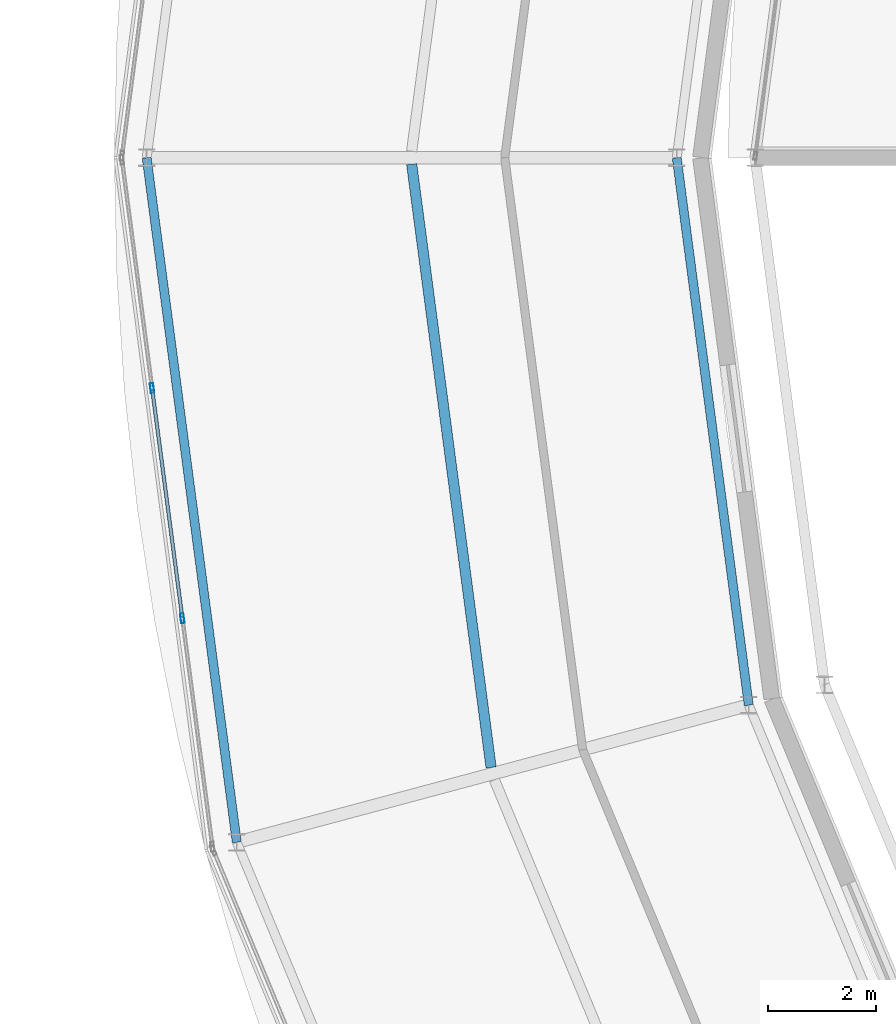
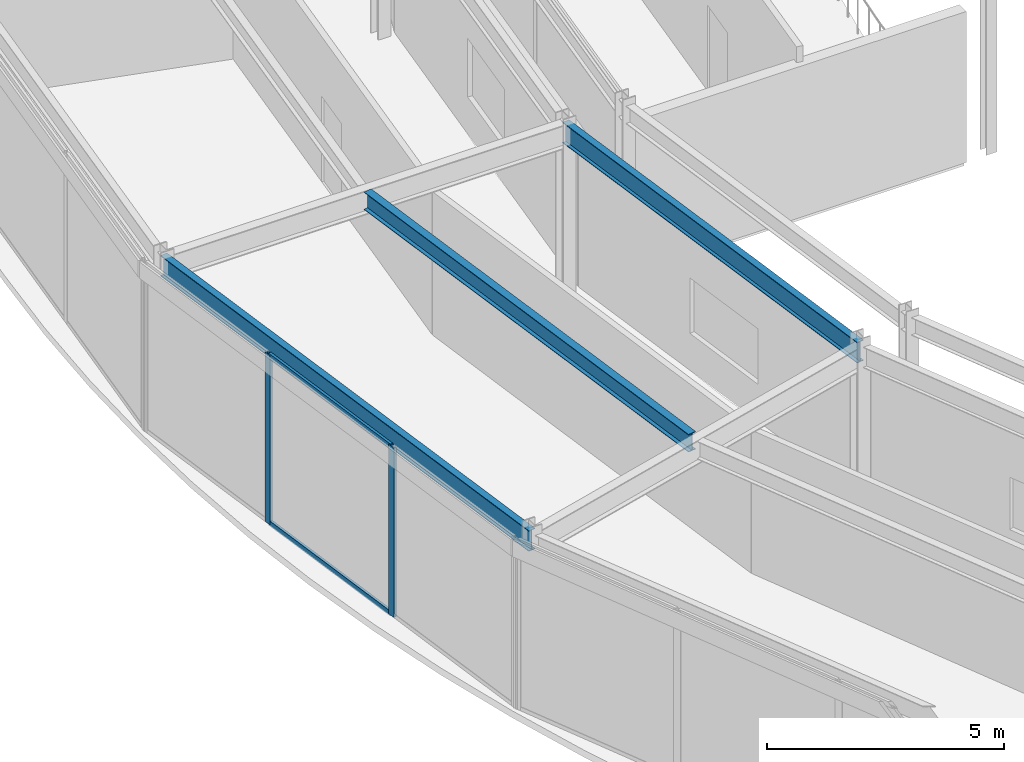
# One storey, part 30 of 133: 4 members, 3 beams, 1 element without a shape of its own.
"""IFC4 building model written with IfcOpenShell, lengths in metres."""

from ifc_helpers import new_model, si_unit, direction, frame, origin, origin_2d, place, context, subcontext, project, spatial, hollow_rectangle, i_section, extrude, material, material_profile, profile_set, type_object, element, aggregate, save


model = new_model("IFC4")

# Units and contexts
model_context = context("Model", 3, precision=1e-05, world=origin(), true_north=direction((0.0, 1.0)))
body_context = subcontext(model_context, "Body", "Model", "MODEL_VIEW")
ifc_project = project(units=[si_unit("LENGTHUNIT", "METRE"), si_unit("AREAUNIT", "SQUARE_METRE"), si_unit("VOLUMEUNIT", "CUBIC_METRE"), si_unit("PLANEANGLEUNIT", "RADIAN"), si_unit("MASSUNIT", "GRAM", prefix="KILO")], contexts=[model_context])

# Site, building, storey
site_placement = place(None, origin())
site = spatial("IfcSite", under=ifc_project, at=site_placement, CompositionType="ELEMENT")
building_placement = place(site_placement, origin())
building = spatial("IfcBuilding", under=site, at=building_placement, Name="Almandine Court Research Institute", CompositionType="ELEMENT")
storey_placement = place(building_placement, frame((0.0, 0.0, 9.800048828125)))
storey = spatial("IfcBuildingStorey", under=building, at=storey_placement, Name="L02", CompositionType="ELEMENT", Elevation=9.800048828125)

# Beams
ifc_material_1 = material(Name="Steel ASTM A992 Grade 50", Category="steel")
ifc_material_profile_1 = material_profile(ifc_material_1, i_section(OverallWidth=0.18994140625, OverallDepth=0.45703125, WebThickness=0.009033203125, FlangeThickness=0.014892578125, at=origin_2d()), Name="W460x74")
ifc_profile_set_1 = profile_set([ifc_material_profile_1], Name="Steel ASTM A992 Grade 50")
beam_type_1 = type_object("IfcBeamType", Name="Beam-B-01", PredefinedType="BEAM", material=ifc_profile_set_1)
beam_1_placement = place(storey_placement, frame((43.0, 55.8798828125, 4.140869140625), z_axis=(0.130512904889, -0.991446610594, 0.0), x_axis=(0.991446610594, 0.130512904889, 0.0)))
element("IfcBeam", 1, at=beam_1_placement, inside=storey, type_object=beam_type_1, Name="L02 Drum MID Ring Beam 12", PredefinedType="BEAM", context=body_context, shape_type="SweptSolid", body=[
    extrude(i_section(OverallWidth=0.18994140625, OverallDepth=0.45703125, WebThickness=0.009033203125, FlangeThickness=0.014892578125, at=origin_2d()), origin(), (0.0, 0.0, 1.0), 11.248046875),
])
ifc_material_profile_2 = material_profile(ifc_material_1, i_section(OverallWidth=0.166015625, OverallDepth=0.534912109375, WebThickness=0.010009765625, FlangeThickness=0.01708984375, at=origin_2d()), Name="W530x85")
ifc_profile_set_2 = profile_set([ifc_material_profile_2], Name="Steel ASTM A992 Grade 50")
beam_type_2 = type_object("IfcBeamType", Name="Beam-G-05-E", PredefinedType="SPANDREL", material=ifc_profile_set_2)
beam_2_placement = place(storey_placement, frame((47.89990234375, 56.0, 4.10205078125), z_axis=(0.130496584681, -0.991448758831, 0.0), x_axis=(0.991448758831, 0.130496584681, 0.0)))
element("IfcBeam", 2, at=beam_2_placement, inside=storey, type_object=beam_type_2, Name="L02 Drum IN Ring Beam 12", PredefinedType="SPANDREL", context=body_context, shape_type="SweptSolid", body=[
    extrude(i_section(OverallWidth=0.166015625, OverallDepth=0.534912109375, WebThickness=0.010009765625, FlangeThickness=0.01708984375, at=origin_2d()), origin(), (0.0, 0.0, 1.0), 10.20751953125),
])
beam_3_placement = place(storey_placement, frame((38.10009765625, 56.0, 4.10205078125), z_axis=(0.130512396599, -0.991446677504, 0.0), x_axis=(0.991446677504, 0.130512396599, 0.0)))
element("IfcBeam", 3, at=beam_3_placement, inside=storey, type_object=beam_type_2, Name="L02 Drum OUT Ring Beam 12", PredefinedType="SPANDREL", context=body_context, shape_type="SweptSolid", body=[
    extrude(i_section(OverallWidth=0.166015625, OverallDepth=0.534912109375, WebThickness=0.010009765625, FlangeThickness=0.01708984375, at=origin_2d()), origin(), (0.0, 0.0, 1.0), 12.76513671875),
])

# Curtain wall, members
ifc_material_2 = material(Name="Unitised Curtain Wall Framing and Solar Glazing", Category="glass")
curtain_wall_type = type_object("IfcCurtainWallType", Name="CW-CWJ-19", PredefinedType="USERDEFINED", material=ifc_material_2)
curtain_wall_placement = place(storey_placement, origin())
curtain_wall = element("IfcCurtainWall", 4, at=curtain_wall_placement, inside=storey, type_object=curtain_wall_type, Name="L02 Stacked-Ring Drum Outer Solar Jali Screen 12", ObjectType="SOLAR JALI SCREEN", PredefinedType="USERDEFINED")
ifc_material_3 = material(Name="Anodised Aluminium AW-6063-T6", Category="aluminium")
ifc_material_profile_3 = material_profile(ifc_material_3, hollow_rectangle(XDim=0.06494140625, YDim=0.179931640625, WallThickness=0.00390625, at=origin_2d()), Name="ALU RHS 65x180x4")
ifc_profile_set_3 = profile_set([ifc_material_profile_3], Name="Anodised Aluminium AW-6063-T6")
member_type_1 = type_object("IfcMemberType", Name="CWMul-65x180", PredefinedType="MULLION", material=ifc_profile_set_3)
member_1_placement = place(storey_placement, frame((38.7607421875, 47.484619140625, 0.0), z_axis=(0.0, 0.0, 1.0), x_axis=(-0.991442926098, -0.130540891259, 0.0)))
member_1 = element("IfcMember", 5, at=member_1_placement, type_object=member_type_1, Name="CWJ-19 mullion 2", PredefinedType="MULLION", context=body_context, shape_type="SweptSolid", body=[
    extrude(hollow_rectangle(XDim=0.06494140625, YDim=0.179931640625, WallThickness=0.00390625, at=origin_2d()), origin(), (0.0, 0.0, 1.0), 4.369873046875),
])
member_2_placement = place(storey_placement, frame((38.200439453125, 51.740234375, 0.0), z_axis=(0.0, 0.0, 1.0), x_axis=(-0.991442926098, -0.130540891259, 0.0)))
member_2 = element("IfcMember", 6, at=member_2_placement, type_object=member_type_1, Name="CWJ-19 mullion 3", PredefinedType="MULLION", context=body_context, shape_type="SweptSolid", body=[
    extrude(hollow_rectangle(XDim=0.06494140625, YDim=0.179931640625, WallThickness=0.00390625, at=origin_2d()), origin(), (0.0, 0.0, 1.0), 4.369873046875),
])
ifc_material_profile_4 = material_profile(ifc_material_3, hollow_rectangle(XDim=0.06494140625, YDim=0.1298828125, WallThickness=0.00390625, at=origin_2d()), Name="ALU RHS 65x130x4")
ifc_profile_set_4 = profile_set([ifc_material_profile_4], Name="Anodised Aluminium AW-6063-T6")
member_type_2 = type_object("IfcMemberType", Name="CWTrn-65x130", PredefinedType="NOTDEFINED", material=ifc_profile_set_4)
member_3_placement = place(storey_placement, frame((38.75634765625, 47.516845703125, 0.032470703125), z_axis=(-0.130521740045, 0.991445447504, 0.0), x_axis=(-0.991445447504, -0.130521740045, 0.0)))
member_3 = element("IfcMember", 7, at=member_3_placement, type_object=member_type_2, Name="CWJ-19 transom 2.1", ObjectType="TRANSOM", PredefinedType="USERDEFINED", context=body_context, shape_type="SweptSolid", body=[
    extrude(hollow_rectangle(XDim=0.06494140625, YDim=0.1298828125, WallThickness=0.00390625, at=origin_2d()), origin(), (0.0, 0.0, 1.0), 4.227294921875),
])
member_4_placement = place(storey_placement, frame((38.75634765625, 47.516845703125, 4.33740234375), z_axis=(-0.130521740045, 0.991445447504, 0.0), x_axis=(-0.991445447504, -0.130521740045, 0.0)))
member_4 = element("IfcMember", 8, at=member_4_placement, type_object=member_type_2, Name="CWJ-19 transom 2.2", ObjectType="TRANSOM", PredefinedType="USERDEFINED", context=body_context, shape_type="SweptSolid", body=[
    extrude(hollow_rectangle(XDim=0.06494140625, YDim=0.1298828125, WallThickness=0.00390625, at=origin_2d()), origin(), (0.0, 0.0, 1.0), 4.227294921875),
])
aggregate(curtain_wall, [member_1, member_2, member_3, member_4])

save(model, "model.ifc")
